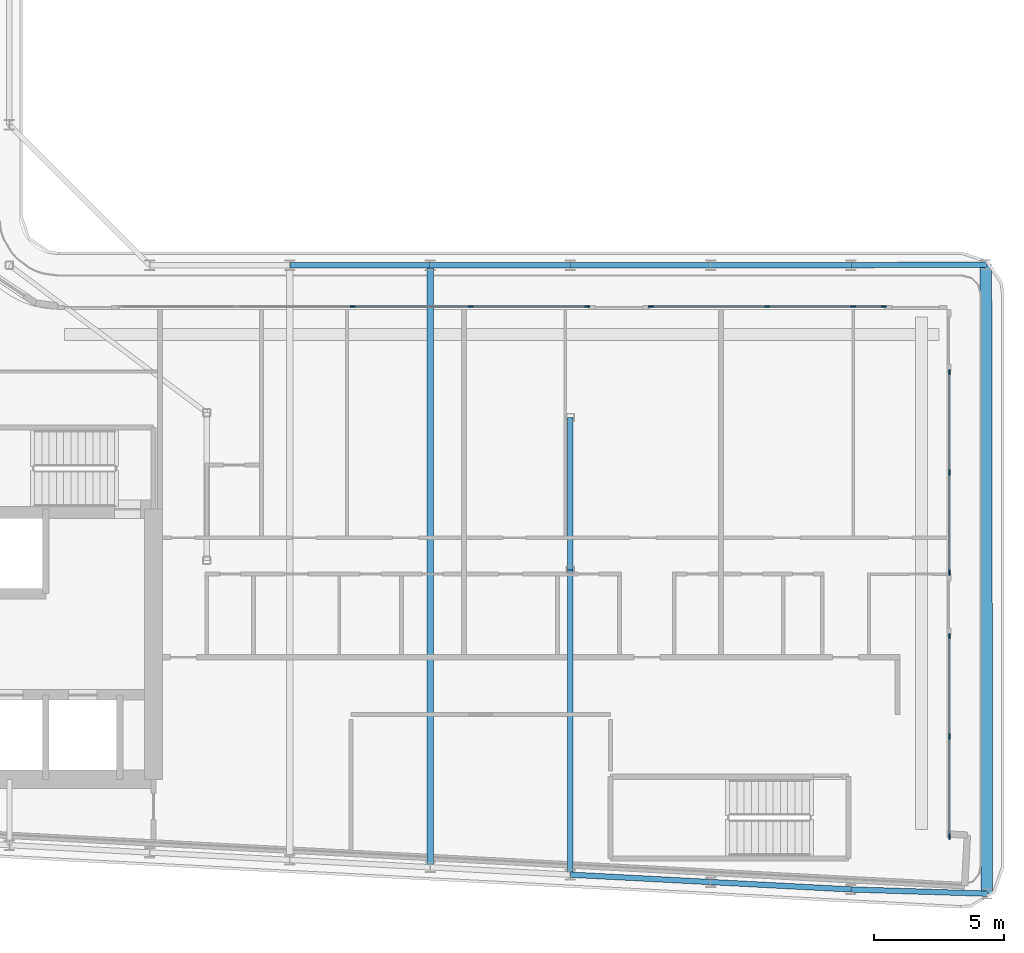
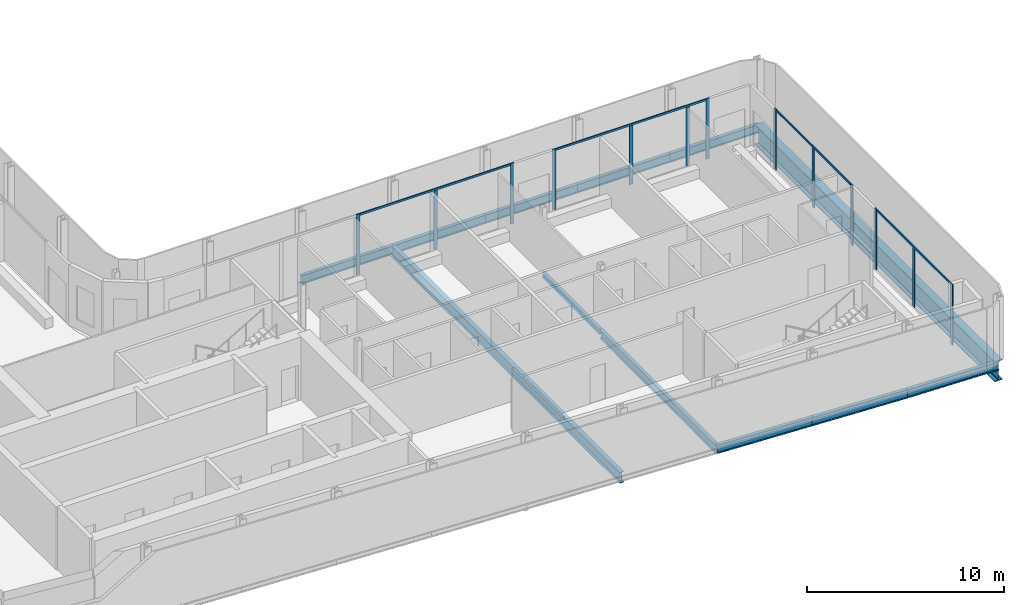
# One storey, part 5 of 21: 17 members, 12 beams, 5 elements without a shape of their own.
"""IFC4 building model written with IfcOpenShell, lengths in metres."""

from ifc_helpers import new_model, si_unit, direction, frame, origin, origin_2d, place, context, subcontext, project, spatial, rectangle, i_section, extrude, material, layer, layer_set, material_profile, profile_set, type_object, element, aggregate, save


model = new_model("IFC4")

# Units and contexts
model_context = context("Model", 3, precision=1e-05, world=origin(), true_north=direction((0.0, 1.0)))
body_context = subcontext(model_context, "Body", "Model", "MODEL_VIEW")
ifc_project = project(units=[si_unit("LENGTHUNIT", "METRE"), si_unit("AREAUNIT", "SQUARE_METRE"), si_unit("VOLUMEUNIT", "CUBIC_METRE"), si_unit("PLANEANGLEUNIT", "RADIAN"), si_unit("MASSUNIT", "GRAM", prefix="KILO")], contexts=[model_context])

# Site, building, storey
site_placement = place(None, origin())
site = spatial("IfcSite", under=ifc_project, at=site_placement, CompositionType="ELEMENT")
building_placement = place(site_placement, origin())
building = spatial("IfcBuilding", under=site, at=building_placement, Name="Kheshtan School and Residences Tower", CompositionType="ELEMENT")
storey_placement = place(building_placement, frame((0.0, 0.0, 235.699951171875)))
storey = spatial("IfcBuildingStorey", under=building, at=storey_placement, Name="L55", CompositionType="ELEMENT", Elevation=235.699951171875)

# Beams
ifc_material_1 = material(Name="Steel ASTM A992 Grade 50", Category="steel")
ifc_material_profile_1 = material_profile(ifc_material_1, i_section(OverallWidth=0.202880859375, OverallDepth=0.302978515625, WebThickness=0.007568359375, FlangeThickness=0.01318359375, FilletRadius=0.009033203125, at=origin_2d()), Name="W310x60")
ifc_profile_set_1 = profile_set([ifc_material_profile_1], Name="Steel ASTM A992 Grade 50")
beam_type_1 = type_object("IfcBeamType", Name="Beam FB1 W310x60 ASTM A992 Grade 50", PredefinedType="BEAM", material=ifc_profile_set_1)
beam_1_placement = place(storey_placement, frame((69.199951171875, 33.863037109375, -0.301513671875), z_axis=(0.0, 1.0, 0.0), x_axis=(-1.0, 0.0, 0.0)))
element("IfcBeam", 1, at=beam_1_placement, inside=storey, type_object=beam_type_1, Name="Floor beam IC", PredefinedType="BEAM", context=body_context, shape_type="SweptSolid", body=[
    extrude(i_section(OverallWidth=0.202880859375, OverallDepth=0.302978515625, WebThickness=0.007568359375, FlangeThickness=0.01318359375, FilletRadius=0.009033203125, at=origin_2d()), origin(), (0.0, 0.0, 1.0), 5.868896484375),
])
ifc_material_profile_2 = material_profile(ifc_material_1, i_section(OverallWidth=0.208984375, OverallDepth=0.532958984375, WebThickness=0.01025390625, FlangeThickness=0.015625, FilletRadius=0.013916015625, at=origin_2d()), Name="W530x92")
ifc_profile_set_2 = profile_set([ifc_material_profile_2], Name="Steel ASTM A992 Grade 50")
beam_type_2 = type_object("IfcBeamType", Name="Beam FB4 W530x92 ASTM A992 Grade 50", PredefinedType="BEAM", material=ifc_profile_set_2)
beam_2_placement = place(storey_placement, frame((69.199951171875, 22.126953125, -0.41650390625), z_axis=(0.0, 1.0, 0.0), x_axis=(-1.0, 0.0, 0.0)))
element("IfcBeam", 2, at=beam_2_placement, inside=storey, type_object=beam_type_2, Name="Floor beam C014", PredefinedType="BEAM", context=body_context, shape_type="SweptSolid", body=[
    extrude(i_section(OverallWidth=0.208984375, OverallDepth=0.532958984375, WebThickness=0.01025390625, FlangeThickness=0.015625, FilletRadius=0.013916015625, at=origin_2d()), origin(), (0.0, 0.0, 1.0), 11.736083984375),
])
ifc_material_profile_3 = material_profile(ifc_material_1, i_section(OverallWidth=0.2529296875, OverallDepth=0.677978515625, WebThickness=0.01171875, FlangeThickness=0.016357421875, FilletRadius=0.0146484375, at=origin_2d()), Name="W690x125")
ifc_profile_set_3 = profile_set([ifc_material_profile_3], Name="Steel ASTM A992 Grade 50")
beam_type_3 = type_object("IfcBeamType", Name="Beam FB6 W690x125 ASTM A992 Grade 50", PredefinedType="BEAM", material=ifc_profile_set_3)
beam_3_placement = place(storey_placement, frame((63.800048828125, 45.60009765625, -0.489013671875), z_axis=(0.0, -1.0, 0.0), x_axis=(1.0, 0.0, 0.0)))
element("IfcBeam", 3, at=beam_3_placement, inside=storey, type_object=beam_type_3, Name="Floor beam C063", PredefinedType="BEAM", context=body_context, shape_type="SweptSolid", body=[
    extrude(i_section(OverallWidth=0.2529296875, OverallDepth=0.677978515625, WebThickness=0.01171875, FlangeThickness=0.016357421875, FilletRadius=0.0146484375, at=origin_2d()), origin(), (0.0, 0.0, 1.0), 23.189208984375),
])
ifc_material_profile_4 = material_profile(ifc_material_1, i_section(OverallWidth=0.208984375, OverallDepth=0.532958984375, WebThickness=0.01025390625, FlangeThickness=0.015625, FilletRadius=0.013916015625, at=origin_2d()), Name="W530x92")
ifc_profile_set_4 = profile_set([ifc_material_profile_4], Name="Steel ASTM A992 Grade 50")
beam_type_4 = type_object("IfcBeamType", Name="Beam SP3 W530x92 ASTM A992 Grade 50", PredefinedType="BEAM", material=ifc_profile_set_4)
beam_4_placement = place(storey_placement, frame((58.39990234375, 45.60009765625, -0.41650390625), z_axis=(1.0, 0.0, 0.0), x_axis=(0.0, 1.0, 0.0)))
element("IfcBeam", 4, at=beam_4_placement, inside=storey, type_object=beam_type_4, Name="Spandrel beam C062-C063", PredefinedType="BEAM", context=body_context, shape_type="SweptSolid", body=[
    extrude(i_section(OverallWidth=0.208984375, OverallDepth=0.532958984375, WebThickness=0.01025390625, FlangeThickness=0.015625, FilletRadius=0.013916015625, at=origin_2d()), origin(), (0.0, 0.0, 1.0), 5.400146484375),
])
beam_5_placement = place(storey_placement, frame((63.800048828125, 45.60009765625, -0.41650390625), z_axis=(1.0, 0.0, 0.0), x_axis=(0.0, 1.0, 0.0)))
element("IfcBeam", 5, at=beam_5_placement, inside=storey, type_object=beam_type_4, Name="Spandrel beam C063-C064", PredefinedType="BEAM", context=body_context, shape_type="SweptSolid", body=[
    extrude(i_section(OverallWidth=0.208984375, OverallDepth=0.532958984375, WebThickness=0.01025390625, FlangeThickness=0.015625, FilletRadius=0.013916015625, at=origin_2d()), origin(), (0.0, 0.0, 1.0), 5.39990234375),
])
beam_6_placement = place(storey_placement, frame((69.199951171875, 45.60009765625, -0.41650390625), z_axis=(1.0, 0.0, 0.0), x_axis=(0.0, 1.0, 0.0)))
element("IfcBeam", 6, at=beam_6_placement, inside=storey, type_object=beam_type_4, Name="Spandrel beam C064-C065", PredefinedType="BEAM", context=body_context, shape_type="SweptSolid", body=[
    extrude(i_section(OverallWidth=0.208984375, OverallDepth=0.532958984375, WebThickness=0.01025390625, FlangeThickness=0.015625, FilletRadius=0.013916015625, at=origin_2d()), origin(), (0.0, 0.0, 1.0), 5.400146484375),
])
beam_7_placement = place(storey_placement, frame((74.60009765625, 45.60009765625, -0.41650390625), z_axis=(1.0, 0.0, 0.0), x_axis=(0.0, 1.0, 0.0)))
element("IfcBeam", 7, at=beam_7_placement, inside=storey, type_object=beam_type_4, Name="Spandrel beam C065-C066", PredefinedType="BEAM", context=body_context, shape_type="SweptSolid", body=[
    extrude(i_section(OverallWidth=0.208984375, OverallDepth=0.532958984375, WebThickness=0.01025390625, FlangeThickness=0.015625, FilletRadius=0.013916015625, at=origin_2d()), origin(), (0.0, 0.0, 1.0), 5.39990234375),
])
beam_8_placement = place(storey_placement, frame((80.0, 45.60009765625, -0.41650390625), z_axis=(0.999994754544, 0.003238963435, 0.0), x_axis=(-0.003238963435, 0.999994754544, 0.0)))
element("IfcBeam", 8, at=beam_8_placement, inside=storey, type_object=beam_type_4, Name="Spandrel beam C066-C074", PredefinedType="BEAM", context=body_context, shape_type="SweptSolid", body=[
    extrude(i_section(OverallWidth=0.208984375, OverallDepth=0.532958984375, WebThickness=0.01025390625, FlangeThickness=0.015625, FilletRadius=0.013916015625, at=origin_2d()), origin(), (0.0, 0.0, 1.0), 5.200927734375),
])
beam_9_placement = place(storey_placement, frame((85.240966796875, 21.39501953125, -0.41650390625), z_axis=(-0.999516201006, 0.031102474602, 0.0), x_axis=(-0.031102474602, -0.999516201006, 0.0)))
element("IfcBeam", 9, at=beam_9_placement, inside=storey, type_object=beam_type_4, Name="Spandrel beam C010-C012", PredefinedType="BEAM", context=body_context, shape_type="SweptSolid", body=[
    extrude(i_section(OverallWidth=0.208984375, OverallDepth=0.532958984375, WebThickness=0.01025390625, FlangeThickness=0.015625, FilletRadius=0.013916015625, at=origin_2d()), origin(), (0.0, 0.0, 1.0), 5.243408203125),
])
beam_10_placement = place(storey_placement, frame((80.0, 21.55810546875, -0.41650390625), z_axis=(-0.998610961136, 0.052689166816, 0.0), x_axis=(-0.052689166816, -0.998610961136, 0.0)))
element("IfcBeam", 10, at=beam_10_placement, inside=storey, type_object=beam_type_4, Name="Spandrel beam C012-C013", PredefinedType="BEAM", context=body_context, shape_type="SweptSolid", body=[
    extrude(i_section(OverallWidth=0.208984375, OverallDepth=0.532958984375, WebThickness=0.01025390625, FlangeThickness=0.015625, FilletRadius=0.013916015625, at=origin_2d()), origin(), (0.0, 0.0, 1.0), 5.407470703125),
])
beam_11_placement = place(storey_placement, frame((74.60009765625, 21.843017578125, -0.41650390625), z_axis=(-0.998620571751, 0.05250670125, 0.0), x_axis=(-0.05250670125, -0.998620571751, 0.0)))
element("IfcBeam", 11, at=beam_11_placement, inside=storey, type_object=beam_type_4, Name="Spandrel beam C013-C014", PredefinedType="BEAM", context=body_context, shape_type="SweptSolid", body=[
    extrude(i_section(OverallWidth=0.208984375, OverallDepth=0.532958984375, WebThickness=0.01025390625, FlangeThickness=0.015625, FilletRadius=0.013916015625, at=origin_2d()), origin(), (0.0, 0.0, 1.0), 5.40771484375),
])

# Curtain wall, member
ifc_material_2 = material(Name="Clear low-e glass in thermally broken aluminium frame", Category="aluminium")
ifc_layer = layer(ifc_material_2, 0.199951171875)
ifc_layer_set = layer_set([ifc_layer], Name="Curtain wall CW-L")
curtain_wall_type = type_object("IfcCurtainWallType", Name="Curtain wall CW-L", PredefinedType="NOTDEFINED", material=ifc_layer_set)
curtain_wall_1_placement = place(storey_placement, origin())
curtain_wall_1 = element("IfcCurtainWall", 12, at=curtain_wall_1_placement, inside=storey, type_object=curtain_wall_type, Name="Curtain wall CWL8n", PredefinedType="NOTDEFINED")
ifc_material_3 = material(Name="Thermally broken aluminium, dark bronze anodised", Category="aluminium")
ifc_material_profile_5 = material_profile(ifc_material_3, rectangle(XDim=0.06005859375, YDim=0.199951171875, at=origin_2d()), Name="CW-L mullion 60x200")
ifc_profile_set_5 = profile_set([ifc_material_profile_5], Name="Thermally broken aluminium, dark bronze anodised")
member_type_1 = type_object("IfcMemberType", Name="CW-L mullion 60x200", PredefinedType="MULLION", material=ifc_profile_set_5)
member_1_placement = place(storey_placement, frame((60.8232421875, 44.0, 0.0), z_axis=(0.0, 0.0, 1.0), x_axis=(0.0, 1.0, 0.0)))
member_1 = element("IfcMember", 13, at=member_1_placement, type_object=member_type_1, Name="CWL8n mullion 3", PredefinedType="MULLION", context=body_context, shape_type="SweptSolid", body=[
    extrude(rectangle(XDim=0.06005859375, YDim=0.199951171875, at=origin_2d()), origin(), (0.0, 0.0, 1.0), 3.75),
])
aggregate(curtain_wall_1, [member_1])

# Curtain wall, members
curtain_wall_2_placement = place(storey_placement, origin())
curtain_wall_2 = element("IfcCurtainWall", 14, at=curtain_wall_2_placement, inside=storey, type_object=curtain_wall_type, Name="Curtain wall CWL8n", PredefinedType="NOTDEFINED")
member_2_placement = place(storey_placement, frame((65.364990234375, 44.0, 0.0), z_axis=(0.0, 0.0, 1.0), x_axis=(0.0, 1.0, 0.0)))
member_2 = element("IfcMember", 15, at=member_2_placement, type_object=member_type_1, Name="CWL8n mullion 2", PredefinedType="MULLION", context=body_context, shape_type="SweptSolid", body=[
    extrude(rectangle(XDim=0.06005859375, YDim=0.199951171875, at=origin_2d()), origin(), (0.0, 0.0, 1.0), 3.630126953125),
])
member_3_placement = place(storey_placement, frame((69.8466796875, 44.0, 0.0), z_axis=(0.0, 0.0, 1.0), x_axis=(0.0, 1.0, 0.0)))
member_3 = element("IfcMember", 16, at=member_3_placement, type_object=member_type_1, Name="CWL8n mullion 3", PredefinedType="MULLION", context=body_context, shape_type="SweptSolid", body=[
    extrude(rectangle(XDim=0.06005859375, YDim=0.199951171875, at=origin_2d()), origin(), (0.0, 0.0, 1.0), 3.75),
])

curtain_wall_3_placement = place(storey_placement, origin())
curtain_wall_3 = element("IfcCurtainWall", 17, at=curtain_wall_3_placement, inside=storey, type_object=curtain_wall_type, Name="Curtain wall CWL8o", PredefinedType="NOTDEFINED")
member_4_placement = place(storey_placement, frame((72.306640625, 44.0, 0.0), z_axis=(0.0, 0.0, 1.0), x_axis=(0.0, 1.0, 0.0)))
member_4 = element("IfcMember", 18, at=member_4_placement, type_object=member_type_1, Name="CWL8o mullion 1", PredefinedType="MULLION", context=body_context, shape_type="SweptSolid", body=[
    extrude(rectangle(XDim=0.06005859375, YDim=0.199951171875, at=origin_2d()), origin(), (0.0, 0.0, 1.0), 3.75),
])
member_5_placement = place(storey_placement, frame((76.788330078125, 44.0, 0.0), z_axis=(0.0, 0.0, 1.0), x_axis=(0.0, 1.0, 0.0)))
member_5 = element("IfcMember", 19, at=member_5_placement, type_object=member_type_1, Name="CWL8o mullion 2", PredefinedType="MULLION", context=body_context, shape_type="SweptSolid", body=[
    extrude(rectangle(XDim=0.06005859375, YDim=0.199951171875, at=origin_2d()), origin(), (0.0, 0.0, 1.0), 3.630126953125),
])
member_6_placement = place(storey_placement, frame((80.099853515625, 44.0, 0.0), z_axis=(0.0, 0.0, 1.0), x_axis=(0.0, 1.0, 0.0)))
member_6 = element("IfcMember", 20, at=member_6_placement, type_object=member_type_1, Name="CWL8o mullion 3", PredefinedType="MULLION", context=body_context, shape_type="SweptSolid", body=[
    extrude(rectangle(XDim=0.06005859375, YDim=0.199951171875, at=origin_2d()), origin(), (0.0, 0.0, 1.0), 3.630126953125),
])
member_7_placement = place(storey_placement, frame((81.27001953125, 44.0, 0.0), z_axis=(0.0, 0.0, 1.0), x_axis=(0.0, 1.0, 0.0)))
member_7 = element("IfcMember", 21, at=member_7_placement, type_object=member_type_1, Name="CWL8o mullion 4", PredefinedType="MULLION", context=body_context, shape_type="SweptSolid", body=[
    extrude(rectangle(XDim=0.06005859375, YDim=0.199951171875, at=origin_2d()), origin(), (0.0, 0.0, 1.0), 3.75),
])

curtain_wall_4_placement = place(storey_placement, origin())
curtain_wall_4 = element("IfcCurtainWall", 22, at=curtain_wall_4_placement, inside=storey, type_object=curtain_wall_type, Name="Curtain wall CWL9a", PredefinedType="NOTDEFINED")
member_8_placement = place(storey_placement, frame((83.800048828125, 41.469970703125, 0.0), z_axis=(0.0, 0.0, 1.0), x_axis=(1.0, 0.0, 0.0)))
member_8 = element("IfcMember", 23, at=member_8_placement, type_object=member_type_1, Name="CWL9a mullion 1", PredefinedType="MULLION", context=body_context, shape_type="SweptSolid", body=[
    extrude(rectangle(XDim=0.06005859375, YDim=0.199951171875, at=origin_2d()), origin(), (0.0, 0.0, 1.0), 3.75),
])
member_9_placement = place(storey_placement, frame((83.800048828125, 37.61669921875, 0.0), z_axis=(0.0, 0.0, 1.0), x_axis=(1.0, 0.0, 0.0)))
member_9 = element("IfcMember", 24, at=member_9_placement, type_object=member_type_1, Name="CWL9a mullion 2", PredefinedType="MULLION", context=body_context, shape_type="SweptSolid", body=[
    extrude(rectangle(XDim=0.06005859375, YDim=0.199951171875, at=origin_2d()), origin(), (0.0, 0.0, 1.0), 3.630126953125),
])
member_10_placement = place(storey_placement, frame((83.800048828125, 33.763427734375, 0.0), z_axis=(0.0, 0.0, 1.0), x_axis=(1.0, 0.0, 0.0)))
member_10 = element("IfcMember", 25, at=member_10_placement, type_object=member_type_1, Name="CWL9a mullion 3", PredefinedType="MULLION", context=body_context, shape_type="SweptSolid", body=[
    extrude(rectangle(XDim=0.06005859375, YDim=0.199951171875, at=origin_2d()), origin(), (0.0, 0.0, 1.0), 3.75),
])

curtain_wall_5_placement = place(storey_placement, origin())
curtain_wall_5 = element("IfcCurtainWall", 26, at=curtain_wall_5_placement, inside=storey, type_object=curtain_wall_type, Name="Curtain wall CWL9a", PredefinedType="NOTDEFINED")
member_11_placement = place(storey_placement, frame((83.800048828125, 31.303466796875, 0.0), z_axis=(0.0, 0.0, 1.0), x_axis=(1.0, 0.0, 0.0)))
member_11 = element("IfcMember", 27, at=member_11_placement, type_object=member_type_1, Name="CWL9a mullion 1", PredefinedType="MULLION", context=body_context, shape_type="SweptSolid", body=[
    extrude(rectangle(XDim=0.06005859375, YDim=0.199951171875, at=origin_2d()), origin(), (0.0, 0.0, 1.0), 3.75),
])
member_12_placement = place(storey_placement, frame((83.800048828125, 27.4501953125, 0.0), z_axis=(0.0, 0.0, 1.0), x_axis=(1.0, 0.0, 0.0)))
member_12 = element("IfcMember", 28, at=member_12_placement, type_object=member_type_1, Name="CWL9a mullion 2", PredefinedType="MULLION", context=body_context, shape_type="SweptSolid", body=[
    extrude(rectangle(XDim=0.06005859375, YDim=0.199951171875, at=origin_2d()), origin(), (0.0, 0.0, 1.0), 3.630126953125),
])
member_13_placement = place(storey_placement, frame((83.800048828125, 23.596923828125, 0.0), z_axis=(0.0, 0.0, 1.0), x_axis=(1.0, 0.0, 0.0)))
member_13 = element("IfcMember", 29, at=member_13_placement, type_object=member_type_1, Name="CWL9a mullion 3", PredefinedType="MULLION", context=body_context, shape_type="SweptSolid", body=[
    extrude(rectangle(XDim=0.06005859375, YDim=0.199951171875, at=origin_2d()), origin(), (0.0, 0.0, 1.0), 3.75),
])

# Member
ifc_material_profile_6 = material_profile(ifc_material_3, rectangle(XDim=0.06005859375, YDim=0.1201171875, at=origin_2d()), Name="CW-L transom 60x120")
ifc_profile_set_6 = profile_set([ifc_material_profile_6], Name="Thermally broken aluminium, dark bronze anodised")
member_type_2 = type_object("IfcMemberType", Name="CW-L transom 60x120", PredefinedType="USERDEFINED", material=ifc_profile_set_6)
member_14_placement = place(storey_placement, frame((60.853271484375, 44.0, 3.68994140625), z_axis=(1.0, 0.0, 0.0), x_axis=(0.0, 1.0, 0.0)))
member_14 = element("IfcMember", 30, at=member_14_placement, type_object=member_type_2, Name="CWL8n transom 1", ObjectType="TRANSOM", PredefinedType="USERDEFINED", context=body_context, shape_type="SweptSolid", body=[
    extrude(rectangle(XDim=0.06005859375, YDim=0.1201171875, at=origin_2d()), origin(), (0.0, 0.0, 1.0), 8.96337890625),
])

aggregate(curtain_wall_2, [member_2, member_3, member_14])

member_15_placement = place(storey_placement, frame((72.336669921875, 44.0, 3.68994140625), z_axis=(1.0, 0.0, 0.0), x_axis=(0.0, 1.0, 0.0)))
member_15 = element("IfcMember", 31, at=member_15_placement, type_object=member_type_2, Name="CWL8o transom 1", ObjectType="TRANSOM", PredefinedType="USERDEFINED", context=body_context, shape_type="SweptSolid", body=[
    extrude(rectangle(XDim=0.06005859375, YDim=0.1201171875, at=origin_2d()), origin(), (0.0, 0.0, 1.0), 8.9033203125),
])

aggregate(curtain_wall_3, [member_4, member_5, member_6, member_7, member_15])

member_16_placement = place(storey_placement, frame((83.800048828125, 41.43994140625, 3.68994140625), z_axis=(0.0, -1.0, 0.0), x_axis=(1.0, 0.0, 0.0)))
member_16 = element("IfcMember", 32, at=member_16_placement, type_object=member_type_2, Name="CWL9a transom 1", ObjectType="TRANSOM", PredefinedType="USERDEFINED", context=body_context, shape_type="SweptSolid", body=[
    extrude(rectangle(XDim=0.06005859375, YDim=0.1201171875, at=origin_2d()), origin(), (0.0, 0.0, 1.0), 7.646484375),
])

aggregate(curtain_wall_4, [member_8, member_9, member_10, member_16])

member_17_placement = place(storey_placement, frame((83.800048828125, 31.2734375, 3.68994140625), z_axis=(0.0, -1.0, 0.0), x_axis=(1.0, 0.0, 0.0)))
member_17 = element("IfcMember", 33, at=member_17_placement, type_object=member_type_2, Name="CWL9a transom 1", ObjectType="TRANSOM", PredefinedType="USERDEFINED", context=body_context, shape_type="SweptSolid", body=[
    extrude(rectangle(XDim=0.06005859375, YDim=0.1201171875, at=origin_2d()), origin(), (0.0, 0.0, 1.0), 7.646484375),
])

aggregate(curtain_wall_5, [member_11, member_12, member_13, member_17])

# Beam
ifc_material_profile_7 = material_profile(ifc_material_1, i_section(OverallWidth=0.449951171875, OverallDepth=1.25, WebThickness=0.02490234375, FlangeThickness=0.044921875, FilletRadius=0.03759765625, at=origin_2d()), Name="WWF1250x546")
ifc_profile_set_7 = profile_set([ifc_material_profile_7], Name="Steel ASTM A992 Grade 50")
beam_type_5 = type_object("IfcBeamType", Name="Transfer girder TG4 WWF1250x546 ASTM A992 Grade 50", PredefinedType="BEAM", material=ifc_profile_set_7)
beam_12_placement = place(storey_placement, frame((85.200927734375, 45.616943359375, -0.77490234375), z_axis=(0.001653006924, -0.999998633783, 0.0), x_axis=(0.999998633783, 0.001653006924, 0.0)))
element("IfcBeam", 34, at=beam_12_placement, inside=storey, type_object=beam_type_5, Name="Transfer girder C074-C010", PredefinedType="BEAM", context=body_context, shape_type="SweptSolid", body=[
    extrude(i_section(OverallWidth=0.449951171875, OverallDepth=1.25, WebThickness=0.02490234375, FlangeThickness=0.044921875, FilletRadius=0.03759765625, at=origin_2d()), origin(), (0.0, 0.0, 1.0), 24.221923828125),
])

save(model, "model.ifc")
